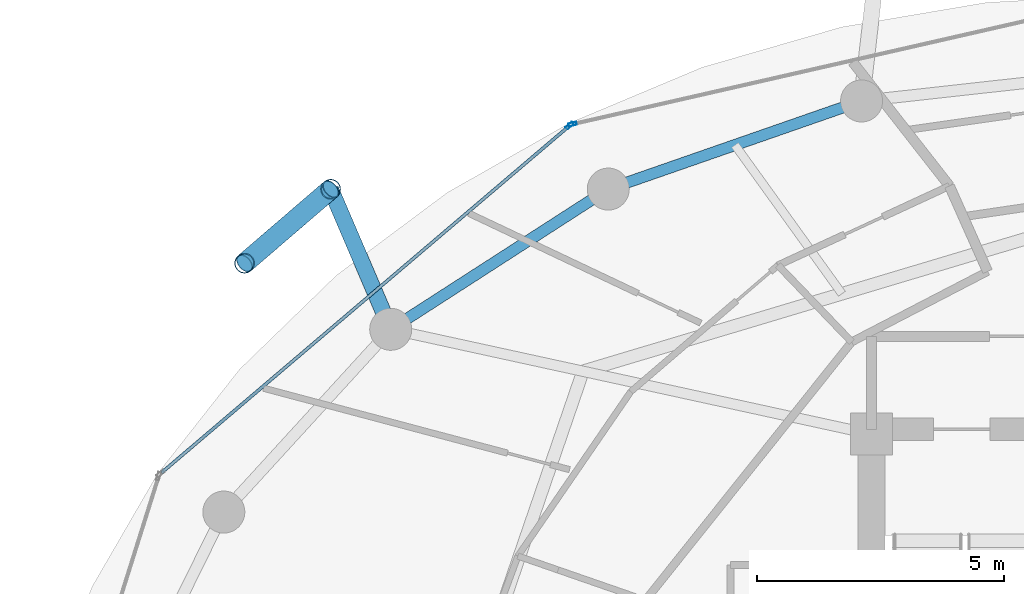
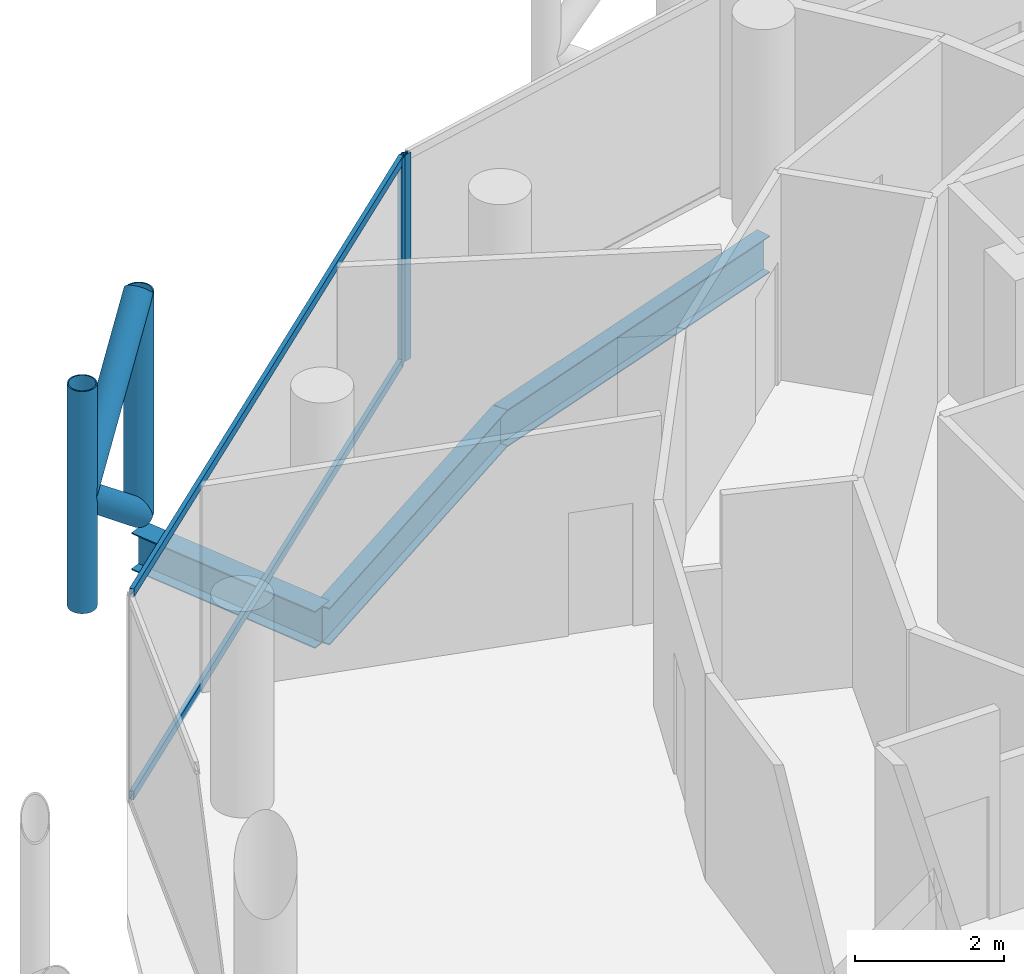
# One storey, part 18 of 27: 8 members, 3 beams, 2 elements without a shape of their own.
"""IFC4 building model written with IfcOpenShell, lengths in metres."""

from ifc_helpers import new_model, si_unit, direction, frame, origin, origin_2d, place, context, subcontext, project, spatial, hollow_rectangle, hollow_circle, i_section, extrude, material, layer, layer_set, material_profile, profile_set, type_object, element, aggregate, save


model = new_model("IFC4")

# Units and contexts
model_context = context("Model", 3, precision=1e-05, world=origin(), true_north=direction((0.0, 1.0)))
body_context = subcontext(model_context, "Body", "Model", "MODEL_VIEW")
ifc_project = project(units=[si_unit("LENGTHUNIT", "METRE"), si_unit("AREAUNIT", "SQUARE_METRE"), si_unit("VOLUMEUNIT", "CUBIC_METRE"), si_unit("PLANEANGLEUNIT", "RADIAN"), si_unit("MASSUNIT", "GRAM", prefix="KILO")], contexts=[model_context])

# Site, building, storey
site_placement = place(None, origin())
site = spatial("IfcSite", under=ifc_project, at=site_placement, CompositionType="ELEMENT")
building_placement = place(site_placement, origin())
building = spatial("IfcBuilding", under=site, at=building_placement, Name="Nuhasar Tower", CompositionType="ELEMENT")
storey_placement = place(building_placement, frame((0.0, 0.0, 251.949951171875)))
storey = spatial("IfcBuildingStorey", under=building, at=storey_placement, Name="L62", CompositionType="ELEMENT", Elevation=251.949951171875)

# Beams
ifc_material_1 = material(Name="Steel S355", Category="steel")
ifc_material_profile_1 = material_profile(ifc_material_1, i_section(OverallWidth=0.22802734375, OverallDepth=0.60791015625, WebThickness=0.01123046875, FlangeThickness=0.017333984375, at=origin_2d()), Name="W24X76")
ifc_profile_set_1 = profile_set([ifc_material_profile_1], Name="Steel S355")
beam_type_1 = type_object("IfcBeamType", Name="BM-RING-W24X76", PredefinedType="SPANDREL", material=ifc_profile_set_1)
beam_1_placement = place(storey_placement, frame((33.5, 44.0419921875, -0.5439453125), z_axis=(-0.944476764686, -0.328578211342, 0.0), x_axis=(0.328578211342, -0.944476764686, 0.0)))
element("IfcBeam", 1, at=beam_1_placement, inside=storey, type_object=beam_type_1, Name="L62 Perimeter Ring Spandrel 08", PredefinedType="SPANDREL", context=body_context, shape_type="SweptSolid", body=[
    extrude(i_section(OverallWidth=0.22802734375, OverallDepth=0.60791015625, WebThickness=0.01123046875, FlangeThickness=0.017333984375, at=origin_2d()), origin(), (0.0, 0.0, 1.0), 5.42626953125),
])
beam_2_placement = place(storey_placement, frame((28.375, 42.259033203125, -0.5439453125), z_axis=(-0.840502144969, -0.541808217272, 0.0), x_axis=(0.541808217272, -0.840502144969, 0.0)))
element("IfcBeam", 2, at=beam_2_placement, inside=storey, type_object=beam_type_1, Name="L62 Perimeter Ring Spandrel 09", PredefinedType="SPANDREL", context=body_context, shape_type="SweptSolid", body=[
    extrude(i_section(OverallWidth=0.22802734375, OverallDepth=0.60791015625, WebThickness=0.01123046875, FlangeThickness=0.017333984375, at=origin_2d()), origin(), (0.0, 0.0, 1.0), 5.236083984375),
])
ifc_material_profile_2 = material_profile(ifc_material_1, i_section(OverallWidth=0.323974609375, OverallDepth=0.611083984375, WebThickness=0.0126953125, FlangeThickness=0.01904296875, at=origin_2d()), Name="W24X104")
ifc_profile_set_2 = profile_set([ifc_material_profile_2], Name="Steel S355")
beam_type_2 = type_object("IfcBeamType", Name="BM-TIE-W24X104", PredefinedType="BEAM", material=ifc_profile_set_2)
beam_3_placement = place(storey_placement, frame((23.97412109375, 39.422119140625, -0.544921875), z_axis=(-0.393680429682, 0.919247365667, 0.0), x_axis=(-0.919247365667, -0.393680429682, 0.0)))
element("IfcBeam", 3, at=beam_3_placement, inside=storey, type_object=beam_type_2, Name="L62 Exoskeleton Node Tie Beam 05", PredefinedType="BEAM", context=body_context, shape_type="SweptSolid", body=[
    extrude(i_section(OverallWidth=0.323974609375, OverallDepth=0.611083984375, WebThickness=0.0126953125, FlangeThickness=0.01904296875, at=origin_2d()), origin(), (0.0, 0.0, 1.0), 3.083984375),
])

# Curtain wall, member
ifc_material_2 = material(Name="Aluminium 6063-T6", Category="aluminium")
ifc_layer = layer(ifc_material_2, 0.18994140625)
ifc_layer_set = layer_set([ifc_layer], Name="Aluminium 6063-T6")
curtain_wall_type = type_object("IfcCurtainWallType", Name="CW-Z3-RES", PredefinedType="NOTDEFINED", material=ifc_layer_set)
curtain_wall_1_placement = place(storey_placement, origin())
curtain_wall_1 = element("IfcCurtainWall", 4, at=curtain_wall_1_placement, inside=storey, type_object=curtain_wall_type, Name="L62 Unitised Curtain Wall 04", PredefinedType="NOTDEFINED")
ifc_material_profile_3 = material_profile(ifc_material_2, hollow_rectangle(XDim=0.06494140625, YDim=0.169921875, WallThickness=0.0048828125, at=origin_2d()), Name="CWM-4")
ifc_profile_set_3 = profile_set([ifc_material_profile_3], Name="Aluminium 6063-T6")
member_type_1 = type_object("IfcMemberType", Name="CW-MUL-S4", PredefinedType="MULLION", material=ifc_profile_set_3)
member_1_placement = place(storey_placement, frame((27.651611328125, 43.5732421875, 0.0), z_axis=(0.0, 0.0, 1.0), x_axis=(0.222243176313, -0.974991266926, 0.0)))
member_1 = element("IfcMember", 5, at=member_1_placement, type_object=member_type_1, Name="CW-Z3 mullion 2", PredefinedType="MULLION", context=body_context, shape_type="SweptSolid", body=[
    extrude(hollow_rectangle(XDim=0.06494140625, YDim=0.169921875, WallThickness=0.0048828125, at=origin_2d()), origin(), (0.0, 0.0, 1.0), 3.39013671875),
])
aggregate(curtain_wall_1, [member_1])

# Curtain wall, members
curtain_wall_2_placement = place(storey_placement, origin())
curtain_wall_2 = element("IfcCurtainWall", 6, at=curtain_wall_2_placement, inside=storey, type_object=curtain_wall_type, Name="L62 Unitised Curtain Wall 05", PredefinedType="NOTDEFINED")
member_2_placement = place(storey_placement, frame((27.59521484375, 43.544921875, 0.0), z_axis=(0.0, 0.0, 1.0), x_axis=(0.64789521578, -0.761729472562, 0.0)))
member_2 = element("IfcMember", 7, at=member_2_placement, type_object=member_type_1, Name="CW-Z3 mullion 1", PredefinedType="MULLION", context=body_context, shape_type="SweptSolid", body=[
    extrude(hollow_rectangle(XDim=0.06494140625, YDim=0.169921875, WallThickness=0.0048828125, at=origin_2d()), origin(), (0.0, 0.0, 1.0), 3.39013671875),
])
ifc_material_profile_4 = material_profile(ifc_material_2, hollow_rectangle(XDim=0.06494140625, YDim=0.139892578125, WallThickness=0.00439453125, at=origin_2d()), Name="CWT-4")
ifc_profile_set_4 = profile_set([ifc_material_profile_4], Name="Aluminium 6063-T6")
member_type_2 = type_object("IfcMemberType", Name="CW-TRN-S4", PredefinedType="USERDEFINED", material=ifc_profile_set_4)
member_3_placement = place(storey_placement, frame((27.570556640625, 43.52392578125, 0.032470703125), z_axis=(-0.761730809511, -0.647893643928, 0.0), x_axis=(0.647893643928, -0.761730809511, 0.0)))
member_3 = element("IfcMember", 8, at=member_3_placement, type_object=member_type_2, Name="CW-Z3 transom 1.1", ObjectType="TRANSOM", PredefinedType="USERDEFINED", context=body_context, shape_type="SweptSolid", body=[
    extrude(hollow_rectangle(XDim=0.06494140625, YDim=0.139892578125, WallThickness=0.00439453125, at=origin_2d()), origin(), (0.0, 0.0, 1.0), 10.806884765625),
])
member_4_placement = place(storey_placement, frame((27.570556640625, 43.52392578125, 3.357666015625), z_axis=(-0.761730809511, -0.647893643928, 0.0), x_axis=(0.647893643928, -0.761730809511, 0.0)))
member_4 = element("IfcMember", 9, at=member_4_placement, type_object=member_type_2, Name="CW-Z3 transom 1.2", ObjectType="TRANSOM", PredefinedType="USERDEFINED", context=body_context, shape_type="SweptSolid", body=[
    extrude(hollow_rectangle(XDim=0.06494140625, YDim=0.139892578125, WallThickness=0.00439453125, at=origin_2d()), origin(), (0.0, 0.0, 1.0), 10.806884765625),
])
aggregate(curtain_wall_2, [member_2, member_3, member_4])

# Members
ifc_material_3 = material(Name="Steel S460", Category="steel")
ifc_material_profile_5 = material_profile(ifc_material_3, hollow_circle(Radius=0.203125, WallThickness=0.01904296875, at=origin_2d()), Name="HSS406.4X19.1")
ifc_profile_set_5 = profile_set([ifc_material_profile_5], Name="Steel S460")
member_type_3 = type_object("IfcMemberType", Name="EXO-BRONZE-406", PredefinedType="BRACE", material=ifc_profile_set_5)
for number, where, z_axis, x_axis, name in (
    (10, (22.760009765625, 42.257080078125, 0.0), (0.0, 0.0, 1.0), (1.0, 0.0, 0.0), "L62 Exoskeleton Chord Column EC-05A"),
    (11, (21.01611328125, 40.758056640625, 0.0), (0.0, 0.0, 1.0), (1.0, 0.0, 0.0), "L62 Exoskeleton Chord Column EC-05B"),
):
    element("IfcMember", number, at=place(storey_placement, frame(where, z_axis=z_axis, x_axis=x_axis)), inside=storey, type_object=member_type_3, Name=name, PredefinedType="BRACE", context=body_context, shape_type="SweptSolid", body=[
        extrude(hollow_circle(Radius=0.203125, WallThickness=0.01904296875, at=origin_2d()), origin(), (0.0, 0.0, 1.0), 3.650146484375),
    ])
for number, where, z_axis, x_axis, name in (
    (12, (22.760009765625, 42.257080078125, 0.0), (-0.594018535389, -0.510608120858, 0.621627964725), (0.65185738425, -0.758341579104, 0.0), "L62 Bronze Diagrid Brace W1-05"),
    (13, (21.01611328125, 40.758056640625, 1.824951171875), (0.593987827832, 0.51058172517, 0.621678986543), (-0.65185738425, 0.758341579104, 0.0), "L62 Bronze Diagrid Brace W2-05"),
):
    element("IfcMember", number, at=place(storey_placement, frame(where, z_axis=z_axis, x_axis=x_axis)), inside=storey, type_object=member_type_3, Name=name, PredefinedType="BRACE", context=body_context, shape_type="SweptSolid", body=[
        extrude(hollow_circle(Radius=0.203125, WallThickness=0.01904296875, at=origin_2d()), origin(), (0.0, 0.0, 1.0), 2.935791015625),
    ])

save(model, "model.ifc")
